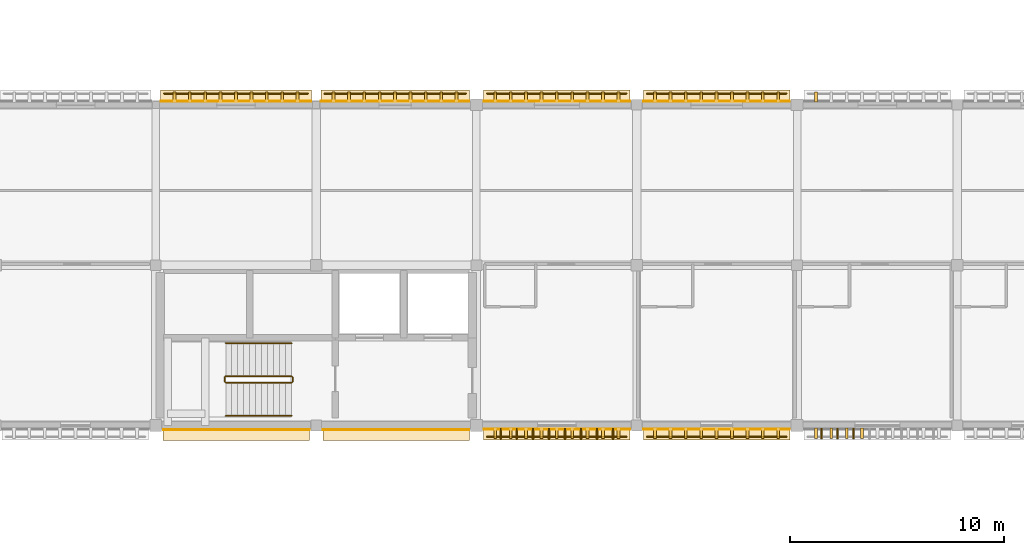
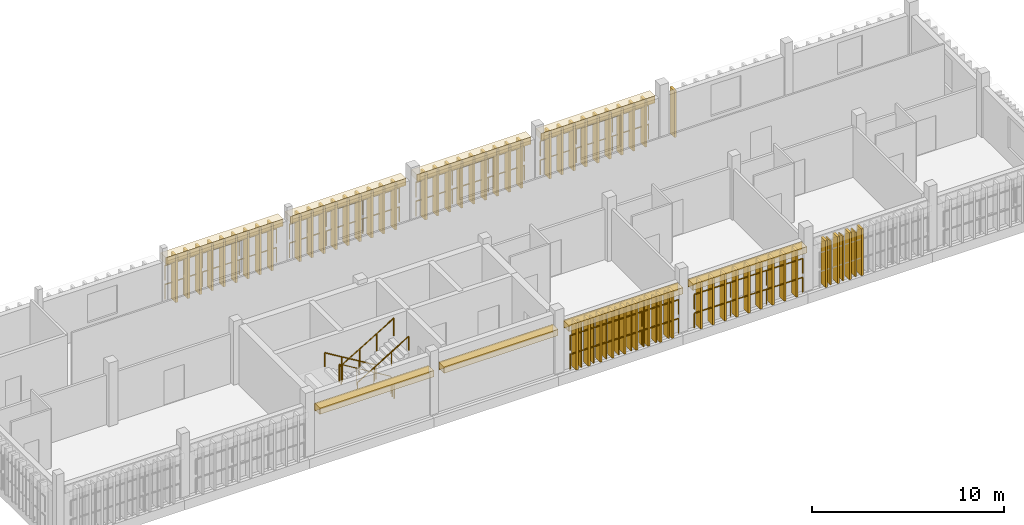
# One storey, part 46 of 48: 75 coverings, 18 railings, 11 shading devices.
"""IFC4 building model written with IfcOpenShell, lengths in metres."""

from ifc_helpers import new_model, si_unit, direction, frame, origin, origin_2d, place, context, subcontext, project, spatial, rectangle, circle, extrude, material, layer, layer_set, type_object, element, save


model = new_model("IFC4")

# Units and contexts
model_context = context("Model", 3, precision=1e-05, world=origin(), true_north=direction((0.0, 1.0)))
body_context = subcontext(model_context, "Body", "Model", "MODEL_VIEW")
ifc_project = project(units=[si_unit("LENGTHUNIT", "METRE"), si_unit("AREAUNIT", "SQUARE_METRE"), si_unit("VOLUMEUNIT", "CUBIC_METRE"), si_unit("PLANEANGLEUNIT", "RADIAN"), si_unit("MASSUNIT", "GRAM", prefix="KILO")], contexts=[model_context])

# Site, building, storey
site_placement = place(None, origin())
site = spatial("IfcSite", under=ifc_project, at=site_placement, CompositionType="ELEMENT")
building_placement = place(site_placement, origin())
building = spatial("IfcBuilding", under=site, at=building_placement, Name="Dalvernix Boulevard General Hospital", CompositionType="ELEMENT")
storey_placement = place(building_placement, frame((0.0, 0.0, 17.85009765625)))
storey = spatial("IfcBuildingStorey", under=building, at=storey_placement, Name="L04", CompositionType="ELEMENT", Elevation=17.85009765625)

# Coverings
ifc_material_1 = material(Name="Polychrome Catalan glazed ceramic spandrel tile panel")
ifc_layer_1 = layer(ifc_material_1, 0.044921875)
ifc_layer_set_1 = layer_set([ifc_layer_1], Name="Polychrome Catalan glazed ceramic spandrel tile panel (COV-CLD-01)")
covering_type_1 = type_object("IfcCoveringType", Name="COV-CLD-01", PredefinedType="CLADDING", material=ifc_layer_set_1)
covering_1_placement = place(storey_placement, frame((131.262451171875, 7.304931640625, 2.69482421875), z_axis=(0.0, 0.0, 1.0), x_axis=(-1.0, 0.0, 0.0)))
element("IfcCovering", 1, at=covering_1_placement, inside=storey, type_object=covering_type_1, Name="L04 polychrome ceramic spandrel S 17-1", PredefinedType="CLADDING", context=body_context, shape_type="SweptSolid", body=[
    extrude(rectangle(XDim=6.85498046875, YDim=0.044921875, at=origin_2d()), origin(), (0.0, 0.0, 1.0), 0.449951171875),
])
covering_2_placement = place(storey_placement, frame((131.25, 22.669921875, 2.69482421875), z_axis=(0.0, 0.0, 1.0), x_axis=(1.0, 0.0, 0.0)))
element("IfcCovering", 2, at=covering_2_placement, inside=storey, type_object=covering_type_1, Name="L04 polychrome ceramic spandrel N 17-3", PredefinedType="CLADDING", context=body_context, shape_type="SweptSolid", body=[
    extrude(rectangle(XDim=7.06005859375, YDim=0.044921875, at=origin_2d()), origin(), (0.0, 0.0, 1.0), 0.449951171875),
])
covering_3_placement = place(storey_placement, frame((138.737548828125, 7.304931640625, 2.69482421875), z_axis=(0.0, 0.0, 1.0), x_axis=(-1.0, 0.0, 0.0)))
element("IfcCovering", 3, at=covering_3_placement, inside=storey, type_object=covering_type_1, Name="L04 polychrome ceramic spandrel S 18-1", PredefinedType="CLADDING", context=body_context, shape_type="SweptSolid", body=[
    extrude(rectangle(XDim=6.85498046875, YDim=0.044921875, at=origin_2d()), origin(), (0.0, 0.0, 1.0), 0.449951171875),
])
covering_4_placement = place(storey_placement, frame((138.6923828125, 22.669921875, 2.69482421875), z_axis=(0.0, 0.0, 1.0), x_axis=(1.0, 0.0, 0.0)))
element("IfcCovering", 4, at=covering_4_placement, inside=storey, type_object=covering_type_1, Name="L04 polychrome ceramic spandrel N 18-3", PredefinedType="CLADDING", context=body_context, shape_type="SweptSolid", body=[
    extrude(rectangle(XDim=6.945068359375, YDim=0.044921875, at=origin_2d()), origin(), (0.0, 0.0, 1.0), 0.449951171875),
])
for number, where, z_axis, x_axis, name in (
    (5, (146.262451171875, 7.330078125, 2.69482421875), (0.0, 0.0, 1.0), (-1.0, 0.0, 0.0), "L04 polychrome ceramic spandrel S 19-1"),
    (6, (146.262451171875, 22.669921875, 2.69482421875), (0.0, 0.0, 1.0), (1.0, 0.0, 0.0), "L04 polychrome ceramic spandrel N 19-3"),
    (7, (153.737548828125, 7.330078125, 2.69482421875), (0.0, 0.0, 1.0), (-1.0, 0.0, 0.0), "L04 polychrome ceramic spandrel S 20-1"),
    (8, (153.737548828125, 22.669921875, 2.69482421875), (0.0, 0.0, 1.0), (1.0, 0.0, 0.0), "L04 polychrome ceramic spandrel N 20-3"),
):
    element("IfcCovering", number, at=place(storey_placement, frame(where, z_axis=z_axis, x_axis=x_axis)), inside=storey, type_object=covering_type_1, Name=name, PredefinedType="CLADDING", context=body_context, shape_type="SweptSolid", body=[
        extrude(rectangle(XDim=6.85498046875, YDim=0.044921875, at=origin_2d()), origin(), (0.0, 0.0, 1.0), 0.449951171875),
    ])
ifc_material_2 = material(Name="Dressed ochre limestone classical plinth, stringcourse and corbelled cornice", Category="masonry")
ifc_layer_2 = layer(ifc_material_2, 0.449951171875)
ifc_layer_set_2 = layer_set([ifc_layer_2], Name="Dressed ochre limestone classical plinth, stringcourse and corbelled cornice (COV-CRN-01)")
covering_type_2 = type_object("IfcCoveringType", Name="COV-CRN-01", PredefinedType="CLADDING", material=ifc_layer_set_2)
covering_5_placement = place(storey_placement, frame((131.262451171875, 7.06494140625, 2.77001953125), z_axis=(0.0, 0.0, 1.0), x_axis=(-1.0, 0.0, 0.0)))
element("IfcCovering", 9, at=covering_5_placement, inside=storey, type_object=covering_type_2, Name="L04 classical corbelled cornice frieze S 17-1", PredefinedType="CLADDING", context=body_context, shape_type="SweptSolid", body=[
    extrude(rectangle(XDim=6.85498046875, YDim=0.56005859375, at=origin_2d()), origin(), (0.0, 0.0, 1.0), 0.39990234375),
])
covering_6_placement = place(storey_placement, frame((131.25, 22.909912109375, 2.77001953125), z_axis=(0.0, 0.0, 1.0), x_axis=(1.0, 0.0, 0.0)))
element("IfcCovering", 10, at=covering_6_placement, inside=storey, type_object=covering_type_2, Name="L04 classical corbelled cornice frieze N 17-3", PredefinedType="CLADDING", context=body_context, shape_type="SweptSolid", body=[
    extrude(rectangle(XDim=7.06005859375, YDim=0.56005859375, at=origin_2d()), origin(), (0.0, 0.0, 1.0), 0.39990234375),
])
covering_7_placement = place(storey_placement, frame((138.737548828125, 7.06494140625, 2.77001953125), z_axis=(0.0, 0.0, 1.0), x_axis=(-1.0, 0.0, 0.0)))
element("IfcCovering", 11, at=covering_7_placement, inside=storey, type_object=covering_type_2, Name="L04 classical corbelled cornice frieze S 18-1", PredefinedType="CLADDING", context=body_context, shape_type="SweptSolid", body=[
    extrude(rectangle(XDim=6.85498046875, YDim=0.56005859375, at=origin_2d()), origin(), (0.0, 0.0, 1.0), 0.39990234375),
])
covering_8_placement = place(storey_placement, frame((138.6923828125, 22.909912109375, 2.77001953125), z_axis=(0.0, 0.0, 1.0), x_axis=(1.0, 0.0, 0.0)))
element("IfcCovering", 12, at=covering_8_placement, inside=storey, type_object=covering_type_2, Name="L04 classical corbelled cornice frieze N 18-3", PredefinedType="CLADDING", context=body_context, shape_type="SweptSolid", body=[
    extrude(rectangle(XDim=6.945068359375, YDim=0.56005859375, at=origin_2d()), origin(), (0.0, 0.0, 1.0), 0.39990234375),
])
for number, where, z_axis, x_axis, name in (
    (13, (146.262451171875, 7.090087890625, 2.77001953125), (0.0, 0.0, 1.0), (-1.0, 0.0, 0.0), "L04 classical corbelled cornice frieze S 19-1"),
    (14, (146.262451171875, 22.909912109375, 2.77001953125), (0.0, 0.0, 1.0), (1.0, 0.0, 0.0), "L04 classical corbelled cornice frieze N 19-3"),
    (15, (153.737548828125, 7.090087890625, 2.77001953125), (0.0, 0.0, 1.0), (-1.0, 0.0, 0.0), "L04 classical corbelled cornice frieze S 20-1"),
    (16, (153.737548828125, 22.909912109375, 2.77001953125), (0.0, 0.0, 1.0), (1.0, 0.0, 0.0), "L04 classical corbelled cornice frieze N 20-3"),
):
    element("IfcCovering", number, at=place(storey_placement, frame(where, z_axis=z_axis, x_axis=x_axis)), inside=storey, type_object=covering_type_2, Name=name, PredefinedType="CLADDING", context=body_context, shape_type="SweptSolid", body=[
        extrude(rectangle(XDim=6.85498046875, YDim=0.56005859375, at=origin_2d()), origin(), (0.0, 0.0, 1.0), 0.39990234375),
    ])
ifc_material_3 = material(Name="Preservative-treated West African iroko timber lattice screen", Category="wood")
ifc_layer_3 = layer(ifc_material_3, 0.1201171875)
ifc_layer_set_3 = layer_set([ifc_layer_3], Name="Preservative-treated West African iroko timber lattice screen (COV-TSCR-01)")
covering_type_3 = type_object("IfcCoveringType", Name="COV-TSCR-01", PredefinedType="CLADDING", material=ifc_layer_set_3)
for number, where, z_axis, x_axis, name in (
    (17, (128.3701171875, 22.8701171875, 0.10009765625), (0.0, 0.0, 1.0), (1.0, 0.0, 0.0), "L04 upper-ward timber screen blade N 17-3-1"),
    (18, (129.090087890625, 22.8701171875, 0.10009765625), (0.0, 0.0, 1.0), (1.0, 0.0, 0.0), "L04 upper-ward timber screen blade N 17-3-2"),
    (19, (129.81005859375, 22.8701171875, 0.10009765625), (0.0, 0.0, 1.0), (1.0, 0.0, 0.0), "L04 upper-ward timber screen blade N 17-3-3"),
    (20, (130.530029296875, 22.8701171875, 0.10009765625), (0.0, 0.0, 1.0), (1.0, 0.0, 0.0), "L04 upper-ward timber screen blade N 17-3-4"),
    (21, (131.25, 22.8701171875, 0.10009765625), (0.0, 0.0, 1.0), (1.0, 0.0, 0.0), "L04 upper-ward timber screen blade N 17-3-5"),
    (22, (131.969970703125, 22.8701171875, 0.10009765625), (0.0, 0.0, 1.0), (1.0, 0.0, 0.0), "L04 upper-ward timber screen blade N 17-3-6"),
    (23, (132.68994140625, 22.8701171875, 0.10009765625), (0.0, 0.0, 1.0), (1.0, 0.0, 0.0), "L04 upper-ward timber screen blade N 17-3-7"),
    (24, (133.409912109375, 22.8701171875, 0.10009765625), (0.0, 0.0, 1.0), (1.0, 0.0, 0.0), "L04 upper-ward timber screen blade N 17-3-8"),
    (25, (134.1298828125, 22.8701171875, 0.10009765625), (0.0, 0.0, 1.0), (1.0, 0.0, 0.0), "L04 upper-ward timber screen blade N 17-3-9"),
    (26, (135.8125, 22.8701171875, 0.10009765625), (0.0, 0.0, 1.0), (1.0, 0.0, 0.0), "L04 upper-ward timber screen blade N 18-3-1"),
    (27, (136.532470703125, 22.8701171875, 0.10009765625), (0.0, 0.0, 1.0), (1.0, 0.0, 0.0), "L04 upper-ward timber screen blade N 18-3-2"),
    (28, (137.25244140625, 22.8701171875, 0.10009765625), (0.0, 0.0, 1.0), (1.0, 0.0, 0.0), "L04 upper-ward timber screen blade N 18-3-3"),
    (29, (137.972412109375, 22.8701171875, 0.10009765625), (0.0, 0.0, 1.0), (1.0, 0.0, 0.0), "L04 upper-ward timber screen blade N 18-3-4"),
    (30, (138.6923828125, 22.8701171875, 0.10009765625), (0.0, 0.0, 1.0), (1.0, 0.0, 0.0), "L04 upper-ward timber screen blade N 18-3-5"),
    (31, (139.41259765625, 22.8701171875, 0.10009765625), (0.0, 0.0, 1.0), (1.0, 0.0, 0.0), "L04 upper-ward timber screen blade N 18-3-6"),
    (32, (140.132568359375, 22.8701171875, 0.10009765625), (0.0, 0.0, 1.0), (1.0, 0.0, 0.0), "L04 upper-ward timber screen blade N 18-3-7"),
    (33, (140.8525390625, 22.8701171875, 0.10009765625), (0.0, 0.0, 1.0), (1.0, 0.0, 0.0), "L04 upper-ward timber screen blade N 18-3-8"),
    (34, (141.572509765625, 22.8701171875, 0.10009765625), (0.0, 0.0, 1.0), (1.0, 0.0, 0.0), "L04 upper-ward timber screen blade N 18-3-9"),
    (35, (149.142578125, 7.1298828125, 0.10009765625), (0.0, 0.0, 1.0), (-1.0, 0.0, 0.0), "L04 upper-ward timber screen blade S 19-1-1"),
    (36, (148.422607421875, 7.1298828125, 0.10009765625), (0.0, 0.0, 1.0), (-1.0, 0.0, 0.0), "L04 upper-ward timber screen blade S 19-1-2"),
    (37, (147.702392578125, 7.1298828125, 0.10009765625), (0.0, 0.0, 1.0), (-1.0, 0.0, 0.0), "L04 upper-ward timber screen blade S 19-1-3"),
    (38, (146.982421875, 7.1298828125, 0.10009765625), (0.0, 0.0, 1.0), (-1.0, 0.0, 0.0), "L04 upper-ward timber screen blade S 19-1-4"),
    (39, (146.262451171875, 7.1298828125, 0.10009765625), (0.0, 0.0, 1.0), (-1.0, 0.0, 0.0), "L04 upper-ward timber screen blade S 19-1-5"),
    (40, (145.54248046875, 7.1298828125, 0.10009765625), (0.0, 0.0, 1.0), (-1.0, 0.0, 0.0), "L04 upper-ward timber screen blade S 19-1-6"),
    (41, (144.822509765625, 7.1298828125, 0.10009765625), (0.0, 0.0, 1.0), (-1.0, 0.0, 0.0), "L04 upper-ward timber screen blade S 19-1-7"),
    (42, (144.1025390625, 7.1298828125, 0.10009765625), (0.0, 0.0, 1.0), (-1.0, 0.0, 0.0), "L04 upper-ward timber screen blade S 19-1-8"),
    (43, (143.382568359375, 7.1298828125, 0.10009765625), (0.0, 0.0, 1.0), (-1.0, 0.0, 0.0), "L04 upper-ward timber screen blade S 19-1-9"),
    (44, (143.382568359375, 22.8701171875, 0.10009765625), (0.0, 0.0, 1.0), (1.0, 0.0, 0.0), "L04 upper-ward timber screen blade N 19-3-1"),
    (45, (144.1025390625, 22.8701171875, 0.10009765625), (0.0, 0.0, 1.0), (1.0, 0.0, 0.0), "L04 upper-ward timber screen blade N 19-3-2"),
    (46, (144.822509765625, 22.8701171875, 0.10009765625), (0.0, 0.0, 1.0), (1.0, 0.0, 0.0), "L04 upper-ward timber screen blade N 19-3-3"),
    (47, (145.54248046875, 22.8701171875, 0.10009765625), (0.0, 0.0, 1.0), (1.0, 0.0, 0.0), "L04 upper-ward timber screen blade N 19-3-4"),
    (48, (146.262451171875, 22.8701171875, 0.10009765625), (0.0, 0.0, 1.0), (1.0, 0.0, 0.0), "L04 upper-ward timber screen blade N 19-3-5"),
    (49, (146.982421875, 22.8701171875, 0.10009765625), (0.0, 0.0, 1.0), (1.0, 0.0, 0.0), "L04 upper-ward timber screen blade N 19-3-6"),
    (50, (147.702392578125, 22.8701171875, 0.10009765625), (0.0, 0.0, 1.0), (1.0, 0.0, 0.0), "L04 upper-ward timber screen blade N 19-3-7"),
    (51, (148.422607421875, 22.8701171875, 0.10009765625), (0.0, 0.0, 1.0), (1.0, 0.0, 0.0), "L04 upper-ward timber screen blade N 19-3-8"),
    (52, (149.142578125, 22.8701171875, 0.10009765625), (0.0, 0.0, 1.0), (1.0, 0.0, 0.0), "L04 upper-ward timber screen blade N 19-3-9"),
    (53, (156.617431640625, 7.1298828125, 0.10009765625), (0.0, 0.0, 1.0), (-1.0, 0.0, 0.0), "L04 upper-ward timber screen blade S 20-1-1"),
    (54, (155.8974609375, 7.1298828125, 0.10009765625), (0.0, 0.0, 1.0), (-1.0, 0.0, 0.0), "L04 upper-ward timber screen blade S 20-1-2"),
    (55, (155.177490234375, 7.1298828125, 0.10009765625), (0.0, 0.0, 1.0), (-1.0, 0.0, 0.0), "L04 upper-ward timber screen blade S 20-1-3"),
    (56, (154.45751953125, 7.1298828125, 0.10009765625), (0.0, 0.0, 1.0), (-1.0, 0.0, 0.0), "L04 upper-ward timber screen blade S 20-1-4"),
    (57, (153.737548828125, 7.1298828125, 0.10009765625), (0.0, 0.0, 1.0), (-1.0, 0.0, 0.0), "L04 upper-ward timber screen blade S 20-1-5"),
    (58, (153.017578125, 7.1298828125, 0.10009765625), (0.0, 0.0, 1.0), (-1.0, 0.0, 0.0), "L04 upper-ward timber screen blade S 20-1-6"),
    (59, (152.297607421875, 7.1298828125, 0.10009765625), (0.0, 0.0, 1.0), (-1.0, 0.0, 0.0), "L04 upper-ward timber screen blade S 20-1-7"),
    (60, (151.577392578125, 7.1298828125, 0.10009765625), (0.0, 0.0, 1.0), (-1.0, 0.0, 0.0), "L04 upper-ward timber screen blade S 20-1-8"),
    (61, (150.857421875, 7.1298828125, 0.10009765625), (0.0, 0.0, 1.0), (-1.0, 0.0, 0.0), "L04 upper-ward timber screen blade S 20-1-9"),
    (62, (150.857421875, 22.8701171875, 0.10009765625), (0.0, 0.0, 1.0), (1.0, 0.0, 0.0), "L04 upper-ward timber screen blade N 20-3-1"),
    (63, (151.577392578125, 22.8701171875, 0.10009765625), (0.0, 0.0, 1.0), (1.0, 0.0, 0.0), "L04 upper-ward timber screen blade N 20-3-2"),
    (64, (152.297607421875, 22.8701171875, 0.10009765625), (0.0, 0.0, 1.0), (1.0, 0.0, 0.0), "L04 upper-ward timber screen blade N 20-3-3"),
    (65, (153.017578125, 22.8701171875, 0.10009765625), (0.0, 0.0, 1.0), (1.0, 0.0, 0.0), "L04 upper-ward timber screen blade N 20-3-4"),
    (66, (153.737548828125, 22.8701171875, 0.10009765625), (0.0, 0.0, 1.0), (1.0, 0.0, 0.0), "L04 upper-ward timber screen blade N 20-3-5"),
    (67, (154.45751953125, 22.8701171875, 0.10009765625), (0.0, 0.0, 1.0), (1.0, 0.0, 0.0), "L04 upper-ward timber screen blade N 20-3-6"),
    (68, (155.177490234375, 22.8701171875, 0.10009765625), (0.0, 0.0, 1.0), (1.0, 0.0, 0.0), "L04 upper-ward timber screen blade N 20-3-7"),
    (69, (155.8974609375, 22.8701171875, 0.10009765625), (0.0, 0.0, 1.0), (1.0, 0.0, 0.0), "L04 upper-ward timber screen blade N 20-3-8"),
    (70, (156.617431640625, 22.8701171875, 0.10009765625), (0.0, 0.0, 1.0), (1.0, 0.0, 0.0), "L04 upper-ward timber screen blade N 20-3-9"),
    (71, (160.54248046875, 7.1298828125, 0.10009765625), (0.0, 0.0, 1.0), (-1.0, 0.0, 0.0), "L04 upper-ward timber screen blade S 21-1-6"),
    (72, (159.822509765625, 7.1298828125, 0.10009765625), (0.0, 0.0, 1.0), (-1.0, 0.0, 0.0), "L04 upper-ward timber screen blade S 21-1-7"),
    (73, (159.1025390625, 7.1298828125, 0.10009765625), (0.0, 0.0, 1.0), (-1.0, 0.0, 0.0), "L04 upper-ward timber screen blade S 21-1-8"),
    (74, (158.382568359375, 7.1298828125, 0.10009765625), (0.0, 0.0, 1.0), (-1.0, 0.0, 0.0), "L04 upper-ward timber screen blade S 21-1-9"),
    (75, (158.382568359375, 22.8701171875, 0.10009765625), (0.0, 0.0, 1.0), (1.0, 0.0, 0.0), "L04 upper-ward timber screen blade N 21-3-1"),
):
    element("IfcCovering", number, at=place(storey_placement, frame(where, z_axis=z_axis, x_axis=x_axis)), inside=storey, type_object=covering_type_3, Name=name, PredefinedType="CLADDING", context=body_context, shape_type="SweptSolid", body=[
        extrude(rectangle(XDim=0.1298828125, YDim=0.47998046875, at=origin_2d()), origin(), (0.0, 0.0, 1.0), 2.969970703125),
    ])

# Railings
ifc_material_4 = material(Name="Brushed stainless steel balustrade", Category="steel")
railing_type_1 = type_object("IfcRailingType", Name="RL-GR-INT1", PredefinedType="BALUSTRADE", material=ifc_material_4)
railing_1_placement = place(storey_placement, frame((133.85009765625, 9.800048828125, 0.168701171875)))
element("IfcRailing", 76, at=railing_1_placement, inside=storey, type_object=railing_type_1, Name="L04 ST-05 stair guard 1", PredefinedType="BALUSTRADE", context=body_context, shape_type="SweptSolid", body=[
    extrude(circle(Radius=0.02392578125, at=origin_2d()), frame((0.0, 0.0, 1.09619140625), z_axis=(-0.856490936558, 0.0, 0.516162063304), x_axis=(0.0, -1.0, 0.0)), (0.0, 0.0, 1.0), 3.59619140625),
    extrude(circle(Radius=0.02099609375, at=origin_2d()), origin(), (0.0, 0.0, 1.0), 1.072021484375),
    extrude(circle(Radius=0.02099609375, at=origin_2d()), frame((-1.026611328125, 0.0, 0.61865234375)), (0.0, 0.0, 1.0), 1.072021484375),
    extrude(circle(Radius=0.02099609375, at=origin_2d()), frame((-2.053466796875, 0.0, 1.237548828125)), (0.0, 0.0, 1.0), 1.072021484375),
    extrude(circle(Radius=0.02099609375, at=origin_2d()), frame((-3.080078125, 0.0, 1.856201171875)), (0.0, 0.0, 1.0), 1.072021484375),
])
railing_2_placement = place(storey_placement, frame((130.719970703125, 9.75, 2.02490234375)))
element("IfcRailing", 77, at=railing_2_placement, inside=storey, type_object=railing_type_1, Name="L04 ST-05 stair guard 2", PredefinedType="BALUSTRADE", context=body_context, shape_type="SweptSolid", body=[
    extrude(circle(Radius=0.02392578125, at=origin_2d()), frame((0.0, 0.0, 1.09619140625), z_axis=(0.0, -1.0, 0.0), x_axis=(1.0, 0.0, 0.0)), (0.0, 0.0, 1.0), 0.199951171875),
    extrude(circle(Radius=0.02099609375, at=origin_2d()), origin(), (0.0, 0.0, 1.0), 1.072021484375),
    extrude(circle(Radius=0.02099609375, at=origin_2d()), frame((0.0, -0.199951171875, 0.0)), (0.0, 0.0, 1.0), 1.072021484375),
])
railing_3_placement = place(storey_placement, frame((130.77001953125, 9.5, 2.193603515625)))
element("IfcRailing", 78, at=railing_3_placement, inside=storey, type_object=railing_type_1, Name="L04 ST-05 stair guard 3", PredefinedType="BALUSTRADE", context=body_context, shape_type="SweptSolid", body=[
    extrude(circle(Radius=0.02392578125, at=origin_2d()), frame((0.0, 0.0, 1.09619140625), z_axis=(0.856490936558, 0.0, 0.516162063304), x_axis=(0.0, 1.0, 0.0)), (0.0, 0.0, 1.0), 3.59619140625),
    extrude(circle(Radius=0.02099609375, at=origin_2d()), origin(), (0.0, 0.0, 1.0), 1.072021484375),
    extrude(circle(Radius=0.02099609375, at=origin_2d()), frame((1.026611328125, 0.0, 0.61865234375)), (0.0, 0.0, 1.0), 1.072021484375),
    extrude(circle(Radius=0.02099609375, at=origin_2d()), frame((2.053466796875, 0.0, 1.237548828125)), (0.0, 0.0, 1.0), 1.072021484375),
    extrude(circle(Radius=0.02099609375, at=origin_2d()), frame((3.080078125, 0.0, 1.856201171875)), (0.0, 0.0, 1.0), 1.072021484375),
])
railing_4_placement = place(storey_placement, frame((133.89990234375, 9.75, 0.0)))
element("IfcRailing", 79, at=railing_4_placement, inside=storey, type_object=railing_type_1, Name="L04 ST-05 stair guard 4", PredefinedType="BALUSTRADE", context=body_context, shape_type="SweptSolid", body=[
    extrude(circle(Radius=0.02392578125, at=origin_2d()), frame((0.0, 0.0, 1.09619140625), z_axis=(0.0, -1.0, 0.0), x_axis=(1.0, 0.0, 0.0)), (0.0, 0.0, 1.0), 0.199951171875),
    extrude(circle(Radius=0.02099609375, at=origin_2d()), origin(), (0.0, 0.0, 1.0), 1.072021484375),
    extrude(circle(Radius=0.02099609375, at=origin_2d()), frame((0.0, -0.199951171875, 0.0)), (0.0, 0.0, 1.0), 1.072021484375),
])
ifc_material_5 = material(Name="Brushed stainless steel wall handrail", Category="steel")
railing_type_2 = type_object("IfcRailingType", Name="RL-HR-INT1", PredefinedType="HANDRAIL", material=ifc_material_5)
railing_5_placement = place(storey_placement, frame((133.85009765625, 11.35009765625, 0.168701171875)))
element("IfcRailing", 80, at=railing_5_placement, inside=storey, type_object=railing_type_2, Name="L04 ST-05 stair handrail 1", PredefinedType="HANDRAIL", context=body_context, shape_type="SweptSolid", body=[
    extrude(circle(Radius=0.02392578125, at=origin_2d()), frame((0.0, 0.0, 0.8759765625), z_axis=(-0.856490936558, 0.0, 0.516162063304), x_axis=(0.0, -1.0, 0.0)), (0.0, 0.0, 1.0), 3.59619140625),
    extrude(circle(Radius=0.02099609375, at=origin_2d()), origin(), (0.0, 0.0, 1.0), 0.851806640625),
    extrude(circle(Radius=0.02099609375, at=origin_2d()), frame((-1.026611328125, 0.0, 0.61865234375)), (0.0, 0.0, 1.0), 0.851806640625),
    extrude(circle(Radius=0.02099609375, at=origin_2d()), frame((-2.053466796875, 0.0, 1.237548828125)), (0.0, 0.0, 1.0), 0.851806640625),
    extrude(circle(Radius=0.02099609375, at=origin_2d()), frame((-3.080078125, 0.0, 1.856201171875)), (0.0, 0.0, 1.0), 0.851806640625),
])
railing_6_placement = place(storey_placement, frame((130.77001953125, 7.949951171875, 2.193603515625)))
element("IfcRailing", 81, at=railing_6_placement, inside=storey, type_object=railing_type_2, Name="L04 ST-05 stair handrail 2", PredefinedType="HANDRAIL", context=body_context, shape_type="SweptSolid", body=[
    extrude(circle(Radius=0.02392578125, at=origin_2d()), frame((0.0, 0.0, 0.8759765625), z_axis=(0.856490936558, 0.0, 0.516162063304), x_axis=(0.0, 1.0, 0.0)), (0.0, 0.0, 1.0), 3.59619140625),
    extrude(circle(Radius=0.02099609375, at=origin_2d()), origin(), (0.0, 0.0, 1.0), 0.851806640625),
    extrude(circle(Radius=0.02099609375, at=origin_2d()), frame((1.026611328125, 0.0, 0.61865234375)), (0.0, 0.0, 1.0), 0.851806640625),
    extrude(circle(Radius=0.02099609375, at=origin_2d()), frame((2.053466796875, 0.0, 1.237548828125)), (0.0, 0.0, 1.0), 0.851806640625),
    extrude(circle(Radius=0.02099609375, at=origin_2d()), frame((3.080078125, 0.0, 1.856201171875)), (0.0, 0.0, 1.0), 0.851806640625),
])
ifc_material_6 = material(Name="Preservative-treated iroko timber horizontal screen louver rail", Category="wood")
railing_type_3 = type_object("IfcRailingType", Name="RL-TSCR-01", PredefinedType="BALUSTRADE", material=ifc_material_6)
for number, where, name in (
    (82, (127.889892578125, 23.030029296875, 0.25), "L04 upper-ward horizontal timber screen louver N 17-3-1"),
    (83, (127.889892578125, 23.030029296875, 1.449951171875), "L04 upper-ward horizontal timber screen louver N 17-3-2"),
):
    element("IfcRailing", number, at=place(storey_placement, frame(where)), inside=storey, type_object=railing_type_3, Name=name, PredefinedType="BALUSTRADE", context=body_context, shape_type="SweptSolid", body=[
        extrude(circle(Radius=0.02392578125, at=origin_2d()), frame((0.0, 0.0, 0.92578125), z_axis=(1.0, 0.0, 0.0), x_axis=(0.0, 1.0, 0.0)), (0.0, 0.0, 1.0), 6.72021484375),
        extrude(circle(Radius=0.02099609375, at=origin_2d()), origin(), (0.0, 0.0, 1.0), 0.90185546875),
        extrude(circle(Radius=0.02099609375, at=origin_2d()), frame((1.1201171875, 0.0, 0.0)), (0.0, 0.0, 1.0), 0.90185546875),
        extrude(circle(Radius=0.02099609375, at=origin_2d()), frame((2.239990234375, 0.0, 0.0)), (0.0, 0.0, 1.0), 0.90185546875),
        extrude(circle(Radius=0.02099609375, at=origin_2d()), frame((3.360107421875, 0.0, 0.0)), (0.0, 0.0, 1.0), 0.90185546875),
        extrude(circle(Radius=0.02099609375, at=origin_2d()), frame((4.480224609375, 0.0, 0.0)), (0.0, 0.0, 1.0), 0.90185546875),
        extrude(circle(Radius=0.02099609375, at=origin_2d()), frame((5.60009765625, 0.0, 0.0)), (0.0, 0.0, 1.0), 0.90185546875),
        extrude(circle(Radius=0.02099609375, at=origin_2d()), frame((6.72021484375, 0.0, 0.0)), (0.0, 0.0, 1.0), 0.90185546875),
    ])
for number, where, name in (
    (84, (135.389892578125, 23.030029296875, 0.25), "L04 upper-ward horizontal timber screen louver N 18-3-1"),
    (85, (135.389892578125, 23.030029296875, 1.449951171875), "L04 upper-ward horizontal timber screen louver N 18-3-2"),
):
    element("IfcRailing", number, at=place(storey_placement, frame(where)), inside=storey, type_object=railing_type_3, Name=name, PredefinedType="BALUSTRADE", context=body_context, shape_type="SweptSolid", body=[
        extrude(circle(Radius=0.02392578125, at=origin_2d()), frame((0.0, 0.0, 0.92578125), z_axis=(1.0, 0.0, 0.0), x_axis=(0.0, 1.0, 0.0)), (0.0, 0.0, 1.0), 6.605224609375),
        extrude(circle(Radius=0.02099609375, at=origin_2d()), origin(), (0.0, 0.0, 1.0), 0.90185546875),
        extrude(circle(Radius=0.02099609375, at=origin_2d()), frame((1.100830078125, 0.0, 0.0)), (0.0, 0.0, 1.0), 0.90185546875),
        extrude(circle(Radius=0.02099609375, at=origin_2d()), frame((2.20166015625, 0.0, 0.0)), (0.0, 0.0, 1.0), 0.90185546875),
        extrude(circle(Radius=0.02099609375, at=origin_2d()), frame((3.302734375, 0.0, 0.0)), (0.0, 0.0, 1.0), 0.90185546875),
        extrude(circle(Radius=0.02099609375, at=origin_2d()), frame((4.403564453125, 0.0, 0.0)), (0.0, 0.0, 1.0), 0.90185546875),
        extrude(circle(Radius=0.02099609375, at=origin_2d()), frame((5.50439453125, 0.0, 0.0)), (0.0, 0.0, 1.0), 0.90185546875),
        extrude(circle(Radius=0.02099609375, at=origin_2d()), frame((6.605224609375, 0.0, 0.0)), (0.0, 0.0, 1.0), 0.90185546875),
    ])
for number, where, name in (
    (86, (149.52001953125, 6.969970703125, 0.25), "L04 upper-ward horizontal timber screen louver S 19-1-1"),
    (87, (149.52001953125, 6.969970703125, 1.449951171875), "L04 upper-ward horizontal timber screen louver S 19-1-2"),
):
    element("IfcRailing", number, at=place(storey_placement, frame(where)), inside=storey, type_object=railing_type_3, Name=name, PredefinedType="BALUSTRADE", context=body_context, shape_type="SweptSolid", body=[
        extrude(circle(Radius=0.02392578125, at=origin_2d()), frame((0.0, 0.0, 0.92578125), z_axis=(-1.0, 0.0, 0.0), x_axis=(0.0, -1.0, 0.0)), (0.0, 0.0, 1.0), 6.51513671875),
        extrude(circle(Radius=0.02099609375, at=origin_2d()), origin(), (0.0, 0.0, 1.0), 0.90185546875),
        extrude(circle(Radius=0.02099609375, at=origin_2d()), frame((-1.0859375, 0.0, 0.0)), (0.0, 0.0, 1.0), 0.90185546875),
        extrude(circle(Radius=0.02099609375, at=origin_2d()), frame((-2.171630859375, 0.0, 0.0)), (0.0, 0.0, 1.0), 0.90185546875),
        extrude(circle(Radius=0.02099609375, at=origin_2d()), frame((-3.257568359375, 0.0, 0.0)), (0.0, 0.0, 1.0), 0.90185546875),
        extrude(circle(Radius=0.02099609375, at=origin_2d()), frame((-4.343505859375, 0.0, 0.0)), (0.0, 0.0, 1.0), 0.90185546875),
        extrude(circle(Radius=0.02099609375, at=origin_2d()), frame((-5.42919921875, 0.0, 0.0)), (0.0, 0.0, 1.0), 0.90185546875),
        extrude(circle(Radius=0.02099609375, at=origin_2d()), frame((-6.51513671875, 0.0, 0.0)), (0.0, 0.0, 1.0), 0.90185546875),
    ])
for number, where, name in (
    (88, (143.0048828125, 23.030029296875, 0.25), "L04 upper-ward horizontal timber screen louver N 19-3-1"),
    (89, (143.0048828125, 23.030029296875, 1.449951171875), "L04 upper-ward horizontal timber screen louver N 19-3-2"),
):
    element("IfcRailing", number, at=place(storey_placement, frame(where)), inside=storey, type_object=railing_type_3, Name=name, PredefinedType="BALUSTRADE", context=body_context, shape_type="SweptSolid", body=[
        extrude(circle(Radius=0.02392578125, at=origin_2d()), frame((0.0, 0.0, 0.92578125), z_axis=(1.0, 0.0, 0.0), x_axis=(0.0, 1.0, 0.0)), (0.0, 0.0, 1.0), 6.51513671875),
        extrude(circle(Radius=0.02099609375, at=origin_2d()), origin(), (0.0, 0.0, 1.0), 0.90185546875),
        extrude(circle(Radius=0.02099609375, at=origin_2d()), frame((1.0859375, 0.0, 0.0)), (0.0, 0.0, 1.0), 0.90185546875),
        extrude(circle(Radius=0.02099609375, at=origin_2d()), frame((2.171630859375, 0.0, 0.0)), (0.0, 0.0, 1.0), 0.90185546875),
        extrude(circle(Radius=0.02099609375, at=origin_2d()), frame((3.257568359375, 0.0, 0.0)), (0.0, 0.0, 1.0), 0.90185546875),
        extrude(circle(Radius=0.02099609375, at=origin_2d()), frame((4.343505859375, 0.0, 0.0)), (0.0, 0.0, 1.0), 0.90185546875),
        extrude(circle(Radius=0.02099609375, at=origin_2d()), frame((5.42919921875, 0.0, 0.0)), (0.0, 0.0, 1.0), 0.90185546875),
        extrude(circle(Radius=0.02099609375, at=origin_2d()), frame((6.51513671875, 0.0, 0.0)), (0.0, 0.0, 1.0), 0.90185546875),
    ])
for number, where, name in (
    (90, (156.9951171875, 6.969970703125, 0.25), "L04 upper-ward horizontal timber screen louver S 20-1-1"),
    (91, (156.9951171875, 6.969970703125, 1.449951171875), "L04 upper-ward horizontal timber screen louver S 20-1-2"),
):
    element("IfcRailing", number, at=place(storey_placement, frame(where)), inside=storey, type_object=railing_type_3, Name=name, PredefinedType="BALUSTRADE", context=body_context, shape_type="SweptSolid", body=[
        extrude(circle(Radius=0.02392578125, at=origin_2d()), frame((0.0, 0.0, 0.92578125), z_axis=(-1.0, 0.0, 0.0), x_axis=(0.0, -1.0, 0.0)), (0.0, 0.0, 1.0), 6.51513671875),
        extrude(circle(Radius=0.02099609375, at=origin_2d()), origin(), (0.0, 0.0, 1.0), 0.90185546875),
        extrude(circle(Radius=0.02099609375, at=origin_2d()), frame((-1.0859375, 0.0, 0.0)), (0.0, 0.0, 1.0), 0.90185546875),
        extrude(circle(Radius=0.02099609375, at=origin_2d()), frame((-2.171630859375, 0.0, 0.0)), (0.0, 0.0, 1.0), 0.90185546875),
        extrude(circle(Radius=0.02099609375, at=origin_2d()), frame((-3.257568359375, 0.0, 0.0)), (0.0, 0.0, 1.0), 0.90185546875),
        extrude(circle(Radius=0.02099609375, at=origin_2d()), frame((-4.343505859375, 0.0, 0.0)), (0.0, 0.0, 1.0), 0.90185546875),
        extrude(circle(Radius=0.02099609375, at=origin_2d()), frame((-5.42919921875, 0.0, 0.0)), (0.0, 0.0, 1.0), 0.90185546875),
        extrude(circle(Radius=0.02099609375, at=origin_2d()), frame((-6.51513671875, 0.0, 0.0)), (0.0, 0.0, 1.0), 0.90185546875),
    ])
for number, where, name in (
    (92, (150.47998046875, 23.030029296875, 0.25), "L04 upper-ward horizontal timber screen louver N 20-3-1"),
    (93, (150.47998046875, 23.030029296875, 1.449951171875), "L04 upper-ward horizontal timber screen louver N 20-3-2"),
):
    element("IfcRailing", number, at=place(storey_placement, frame(where)), inside=storey, type_object=railing_type_3, Name=name, PredefinedType="BALUSTRADE", context=body_context, shape_type="SweptSolid", body=[
        extrude(circle(Radius=0.02392578125, at=origin_2d()), frame((0.0, 0.0, 0.92578125), z_axis=(1.0, 0.0, 0.0), x_axis=(0.0, 1.0, 0.0)), (0.0, 0.0, 1.0), 6.51513671875),
        extrude(circle(Radius=0.02099609375, at=origin_2d()), origin(), (0.0, 0.0, 1.0), 0.90185546875),
        extrude(circle(Radius=0.02099609375, at=origin_2d()), frame((1.0859375, 0.0, 0.0)), (0.0, 0.0, 1.0), 0.90185546875),
        extrude(circle(Radius=0.02099609375, at=origin_2d()), frame((2.171630859375, 0.0, 0.0)), (0.0, 0.0, 1.0), 0.90185546875),
        extrude(circle(Radius=0.02099609375, at=origin_2d()), frame((3.257568359375, 0.0, 0.0)), (0.0, 0.0, 1.0), 0.90185546875),
        extrude(circle(Radius=0.02099609375, at=origin_2d()), frame((4.343505859375, 0.0, 0.0)), (0.0, 0.0, 1.0), 0.90185546875),
        extrude(circle(Radius=0.02099609375, at=origin_2d()), frame((5.42919921875, 0.0, 0.0)), (0.0, 0.0, 1.0), 0.90185546875),
        extrude(circle(Radius=0.02099609375, at=origin_2d()), frame((6.51513671875, 0.0, 0.0)), (0.0, 0.0, 1.0), 0.90185546875),
    ])

# Shading devices
ifc_material_7 = material(Name="Preservative-treated West African iroko timber", Category="wood")
shading_device_type = type_object("IfcShadingDeviceType", Name="SHD-FIN-01", PredefinedType="USERDEFINED", material=ifc_material_7)
for number, where, z_axis, x_axis, name in (
    (94, (148.887451171875, 7.1201171875, 0.1748046875), (0.0, 0.0, 1.0), (-1.0, 0.0, 0.0), "L04 iroko brise-soleil fin 1"),
    (95, (148.137451171875, 7.1201171875, 0.1748046875), (0.0, 0.0, 1.0), (-1.0, 0.0, 0.0), "L04 iroko brise-soleil fin 2"),
    (96, (147.387451171875, 7.1201171875, 0.1748046875), (0.0, 0.0, 1.0), (-1.0, 0.0, 0.0), "L04 iroko brise-soleil fin 3"),
    (97, (146.637451171875, 7.1201171875, 0.1748046875), (0.0, 0.0, 1.0), (-1.0, 0.0, 0.0), "L04 iroko brise-soleil fin 4"),
    (98, (145.887451171875, 7.1201171875, 0.1748046875), (0.0, 0.0, 1.0), (-1.0, 0.0, 0.0), "L04 iroko brise-soleil fin 5"),
    (99, (145.137451171875, 7.1201171875, 0.1748046875), (0.0, 0.0, 1.0), (-1.0, 0.0, 0.0), "L04 iroko brise-soleil fin 6"),
    (100, (144.387451171875, 7.1201171875, 0.1748046875), (0.0, 0.0, 1.0), (-1.0, 0.0, 0.0), "L04 iroko brise-soleil fin 7"),
    (101, (143.637451171875, 7.1201171875, 0.1748046875), (0.0, 0.0, 1.0), (-1.0, 0.0, 0.0), "L04 iroko brise-soleil fin 8"),
    (102, (160.137451171875, 7.1201171875, 0.1748046875), (0.0, 0.0, 1.0), (-1.0, 0.0, 0.0), "L04 iroko brise-soleil fin 6"),
    (103, (159.387451171875, 7.1201171875, 0.1748046875), (0.0, 0.0, 1.0), (-1.0, 0.0, 0.0), "L04 iroko brise-soleil fin 7"),
    (104, (158.637451171875, 7.1201171875, 0.1748046875), (0.0, 0.0, 1.0), (-1.0, 0.0, 0.0), "L04 iroko brise-soleil fin 8"),
):
    element("IfcShadingDevice", number, at=place(storey_placement, frame(where, z_axis=z_axis, x_axis=x_axis)), inside=storey, type_object=shading_device_type, Name=name, ObjectType="FIN", PredefinedType="USERDEFINED", context=body_context, shape_type="SweptSolid", body=[
        extrude(rectangle(XDim=0.06494140625, YDim=0.47998046875, at=origin_2d()), origin(), (0.0, 0.0, 1.0), 2.820068359375),
    ])

save(model, "model.ifc")
